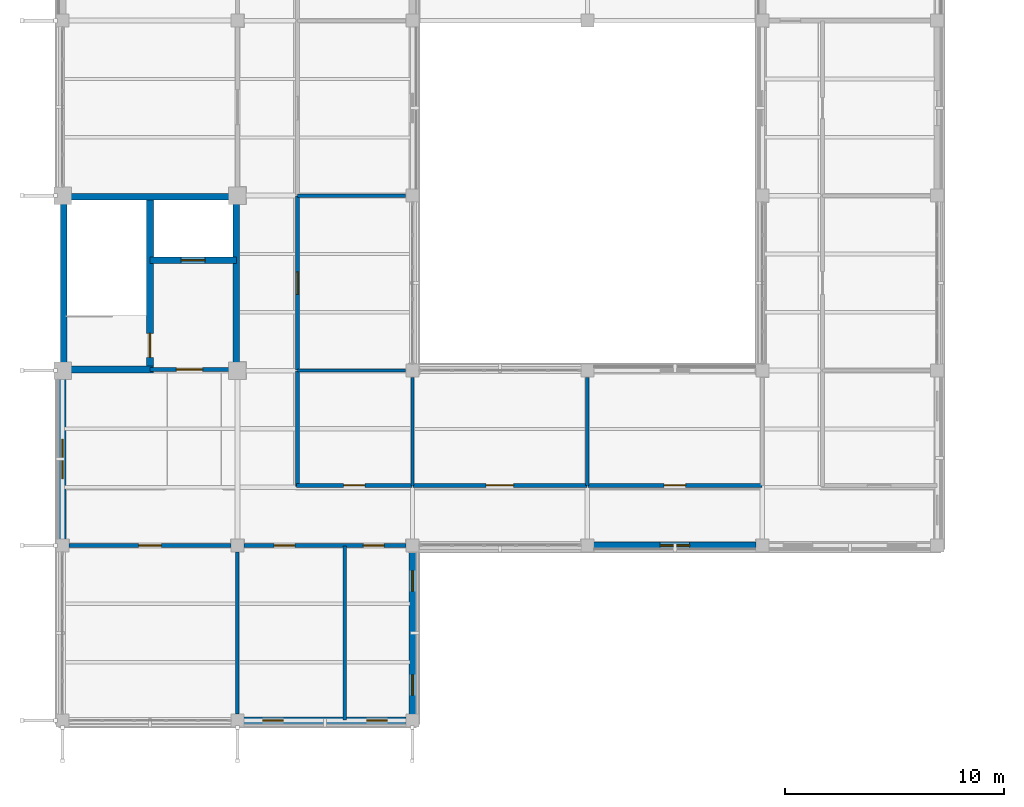
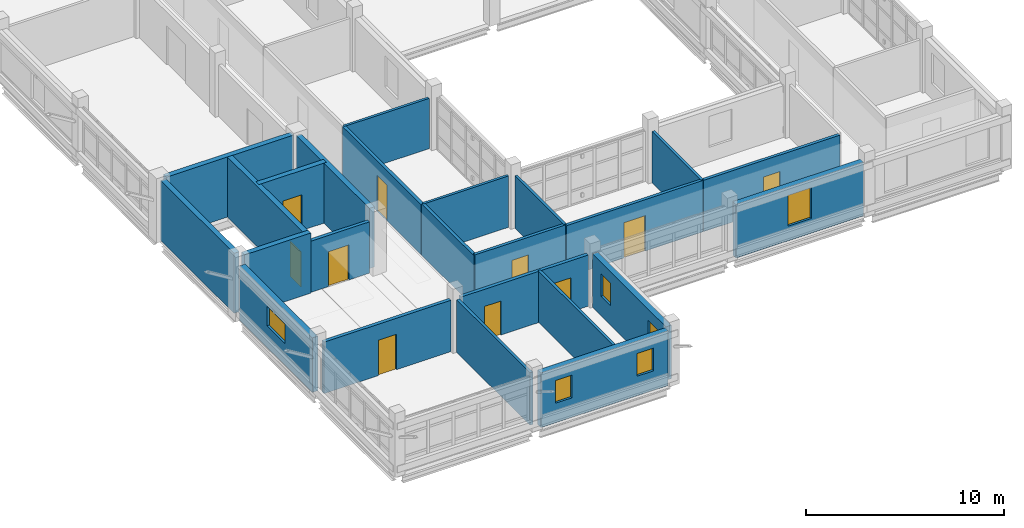
# One storey, part 87 of 126: 24 walls, 10 doors, 6 windows, 16 openings.
"""IFC4 building model written with IfcOpenShell, lengths in metres."""

from ifc_helpers import new_model, si_unit, derived_unit, direction, frame, frame_2d, origin, place, context, subcontext, project, spatial, rectangle, extrude, material, layer, layer_set, type_object, element, fill, save


model = new_model("IFC4")

# Units and contexts
model_context = context("Model", 3, precision=1e-05, world=origin(), true_north=direction((0.0, 1.0)))
body_context = subcontext(model_context, "Body", "Model", "MODEL_VIEW")
ifc_project = project(units=[si_unit("LENGTHUNIT", "METRE"), si_unit("AREAUNIT", "SQUARE_METRE"), si_unit("VOLUMEUNIT", "CUBIC_METRE"), si_unit("PLANEANGLEUNIT", "RADIAN"), si_unit("MASSUNIT", "GRAM", prefix="KILO"), derived_unit("THERMALTRANSMITTANCEUNIT", [(si_unit("MASSUNIT", "GRAM", prefix="KILO"), 1), (si_unit("TIMEUNIT", "SECOND"), -3), (si_unit("THERMODYNAMICTEMPERATUREUNIT", "KELVIN"), -1)])], contexts=[model_context])

# Site, building, storey
site_placement = place(None, origin())
site = spatial("IfcSite", under=ifc_project, at=site_placement, CompositionType="ELEMENT")
building_placement = place(site_placement, origin())
building = spatial("IfcBuilding", under=site, at=building_placement, Name="Veyamyaing Civic Hall", CompositionType="ELEMENT")
storey_placement = place(building_placement, frame((0.0, 0.0, 9.89990234375)))
storey = spatial("IfcBuildingStorey", under=building, at=storey_placement, Name="L02", CompositionType="ELEMENT", Elevation=9.89990234375)

# Wall, opening, window
ifc_material_1 = material(Name="Precast concrete C40/50", Category="concrete")
ifc_layer_1 = layer(ifc_material_1, 0.320068359375, Name="Precast concrete C40/50")
ifc_layer_set_1 = layer_set([ifc_layer_1], Name="Precast concrete C40/50")
wall_type_1 = type_object("IfcWallType", Name="WT-02", PredefinedType="SOLIDWALL", material=ifc_layer_set_1)
wall_1_placement = place(storey_placement, frame((0.0, 8.284912109375, 0.0), z_axis=(0.0, 0.0, 1.0), x_axis=(0.0, 1.0, 0.0)))
wall_1 = element("IfcWall", 1, at=wall_1_placement, inside=storey, type_object=wall_type_1, Name="Exterior facade wall WT-02 L02 W 1.2", PredefinedType="SOLIDWALL", context=body_context, shape_type="SweptSolid", body=[
    extrude(rectangle(XDim=7.330078125, YDim=0.320068359375, at=frame_2d((3.6650390625, 0.0))), origin(), (0.0, 0.0, 1.0), 3.362060546875),
])
opening_1_placement = place(wall_1_placement, frame((2.764892578125, 0.0, 1.35009765625)))
opening_1 = element("IfcOpeningElement", 2, at=opening_1_placement, cuts=wall_1, Name="Opening W-19", PredefinedType="OPENING", context=body_context, shape_type="SweptSolid", body=[
    extrude(rectangle(XDim=1.800048828125, YDim=1.199951171875, at=frame_2d((0.89990234375, 0.60009765625))), frame((0.0, 0.169921875, 0.0), z_axis=(0.0, -1.0, 0.0), x_axis=(1.0, 0.0, 0.0)), (0.0, 0.0, 1.0), 0.340087890625),
])
ifc_material_2 = material(Name="Low-E insulated glass", Category="glass")
window_type_1 = type_object("IfcWindowType", Name="W-19", PartitioningType="SINGLE_PANEL", PredefinedType="WINDOW", material=ifc_material_2)
window_1_placement = place(opening_1_placement, origin())
window_1 = element("IfcWindow", 3, at=window_1_placement, inside=storey, type_object=window_type_1, Name="Facade window W-19 L02 W 1.2", OverallHeight=1.199951171875, OverallWidth=1.800048828125, PartitioningType="SINGLE_PANEL", PredefinedType="WINDOW", context=body_context, shape_type="SweptSolid", body=[
    extrude(rectangle(XDim=1.800048828125, YDim=1.199951171875, at=frame_2d((0.89990234375, 0.60009765625))), frame((0.0, 0.030029296875, 0.0), z_axis=(0.0, -1.0, 0.0), x_axis=(1.0, 0.0, 0.0)), (0.0, 0.0, 1.0), 0.06005859375),
])
fill(opening_1, window_1)

# Wall, openings, windows
wall_2_placement = place(storey_placement, frame((8.284912109375, 0.0, 0.0), z_axis=(0.0, 0.0, 1.0), x_axis=(1.0, 0.0, 0.0)))
wall_2 = element("IfcWall", 4, at=wall_2_placement, inside=storey, type_object=wall_type_1, Name="Exterior facade wall WT-02 L02 S 2.1", PredefinedType="SOLIDWALL", context=body_context, shape_type="SweptSolid", body=[
    extrude(rectangle(XDim=7.43017578125, YDim=0.320068359375, at=frame_2d((3.715087890625, 0.0))), origin(), (0.0, 0.0, 1.0), 3.362060546875),
])
opening_2_placement = place(wall_2_placement, frame((0.8623046875, 0.0, 1.199951171875)))
opening_2 = element("IfcOpeningElement", 5, at=opening_2_placement, cuts=wall_2, Name="Opening W-20", PredefinedType="OPENING", context=body_context, shape_type="SweptSolid", body=[
    extrude(rectangle(XDim=0.949951171875, YDim=1.39990234375, at=frame_2d((0.47509765625, 0.699951171875))), frame((0.0, 0.169921875, 0.0), z_axis=(0.0, -1.0, 0.0), x_axis=(1.0, 0.0, 0.0)), (0.0, 0.0, 1.0), 0.340087890625),
])
opening_3_placement = place(wall_2_placement, frame((5.61767578125, 0.0, 1.199951171875)))
opening_3 = element("IfcOpeningElement", 6, at=opening_3_placement, cuts=wall_2, Name="Opening W-20", PredefinedType="OPENING", context=body_context, shape_type="SweptSolid", body=[
    extrude(rectangle(XDim=0.949951171875, YDim=1.39990234375, at=frame_2d((0.47509765625, 0.699951171875))), frame((0.0, 0.169921875, 0.0), z_axis=(0.0, -1.0, 0.0), x_axis=(1.0, 0.0, 0.0)), (0.0, 0.0, 1.0), 0.340087890625),
])
window_type_2 = type_object("IfcWindowType", Name="W-20", PartitioningType="SINGLE_PANEL", PredefinedType="WINDOW", material=ifc_material_2)
window_2_placement = place(opening_2_placement, origin())
window_2 = element("IfcWindow", 7, at=window_2_placement, inside=storey, type_object=window_type_2, Name="Facade window W-20 L02 S 2.1.1", OverallHeight=1.39990234375, OverallWidth=0.949951171875, PartitioningType="SINGLE_PANEL", PredefinedType="WINDOW", context=body_context, shape_type="SweptSolid", body=[
    extrude(rectangle(XDim=0.949951171875, YDim=1.39990234375, at=frame_2d((0.47509765625, 0.699951171875))), frame((0.0, 0.030029296875, 0.0), z_axis=(0.0, -1.0, 0.0), x_axis=(1.0, 0.0, 0.0)), (0.0, 0.0, 1.0), 0.06005859375),
])
fill(opening_2, window_2)
window_3_placement = place(opening_3_placement, origin())
window_3 = element("IfcWindow", 8, at=window_3_placement, inside=storey, type_object=window_type_2, Name="Facade window W-20 L02 S 2.1.2", OverallHeight=1.39990234375, OverallWidth=0.949951171875, PartitioningType="SINGLE_PANEL", PredefinedType="WINDOW", context=body_context, shape_type="SweptSolid", body=[
    extrude(rectangle(XDim=0.949951171875, YDim=1.39990234375, at=frame_2d((0.47509765625, 0.699951171875))), frame((0.0, 0.030029296875, 0.0), z_axis=(0.0, -1.0, 0.0), x_axis=(1.0, 0.0, 0.0)), (0.0, 0.0, 1.0), 0.06005859375),
])
fill(opening_3, window_3)

wall_3_placement = place(storey_placement, frame((16.0, 0.284912109375, 0.0), z_axis=(0.0, 0.0, 1.0), x_axis=(0.0, 1.0, 0.0)))
wall_3 = element("IfcWall", 9, at=wall_3_placement, inside=storey, type_object=wall_type_1, Name="Exterior facade wall WT-02 L02 E 2.1", PredefinedType="SOLIDWALL", context=body_context, shape_type="SweptSolid", body=[
    extrude(rectangle(XDim=7.43017578125, YDim=0.320068359375, at=frame_2d((3.715087890625, 0.0))), origin(), (0.0, 0.0, 1.0), 3.295166015625),
])
opening_4_placement = place(wall_3_placement, frame((0.8623046875, 0.0, 1.199951171875)))
opening_4 = element("IfcOpeningElement", 10, at=opening_4_placement, cuts=wall_3, Name="Opening W-20", PredefinedType="OPENING", context=body_context, shape_type="SweptSolid", body=[
    extrude(rectangle(XDim=0.949951171875, YDim=1.39990234375, at=frame_2d((0.47509765625, 0.699951171875))), frame((0.0, 0.169921875, 0.0), z_axis=(0.0, -1.0, 0.0), x_axis=(1.0, 0.0, 0.0)), (0.0, 0.0, 1.0), 0.340087890625),
])
opening_5_placement = place(wall_3_placement, frame((5.61767578125, 0.0, 1.199951171875)))
opening_5 = element("IfcOpeningElement", 11, at=opening_5_placement, cuts=wall_3, Name="Opening W-20", PredefinedType="OPENING", context=body_context, shape_type="SweptSolid", body=[
    extrude(rectangle(XDim=0.949951171875, YDim=1.39990234375, at=frame_2d((0.47509765625, 0.699951171875))), frame((0.0, 0.169921875, 0.0), z_axis=(0.0, -1.0, 0.0), x_axis=(1.0, 0.0, 0.0)), (0.0, 0.0, 1.0), 0.340087890625),
])
window_4_placement = place(opening_4_placement, origin())
window_4 = element("IfcWindow", 12, at=window_4_placement, inside=storey, type_object=window_type_2, Name="Facade window W-20 L02 E 2.1.1", OverallHeight=1.39990234375, OverallWidth=0.949951171875, PartitioningType="SINGLE_PANEL", PredefinedType="WINDOW", context=body_context, shape_type="SweptSolid", body=[
    extrude(rectangle(XDim=0.949951171875, YDim=1.39990234375, at=frame_2d((0.47509765625, 0.699951171875))), frame((0.0, 0.030029296875, 0.0), z_axis=(0.0, -1.0, 0.0), x_axis=(1.0, 0.0, 0.0)), (0.0, 0.0, 1.0), 0.06005859375),
])
fill(opening_4, window_4)
window_5_placement = place(opening_5_placement, origin())
window_5 = element("IfcWindow", 13, at=window_5_placement, inside=storey, type_object=window_type_2, Name="Facade window W-20 L02 E 2.1.2", OverallHeight=1.39990234375, OverallWidth=0.949951171875, PartitioningType="SINGLE_PANEL", PredefinedType="WINDOW", context=body_context, shape_type="SweptSolid", body=[
    extrude(rectangle(XDim=0.949951171875, YDim=1.39990234375, at=frame_2d((0.47509765625, 0.699951171875))), frame((0.0, 0.030029296875, 0.0), z_axis=(0.0, -1.0, 0.0), x_axis=(1.0, 0.0, 0.0)), (0.0, 0.0, 1.0), 0.06005859375),
])
fill(opening_5, window_5)

# Wall, opening, window
wall_4_placement = place(storey_placement, frame((24.284912109375, 8.0, 0.0), z_axis=(0.0, 0.0, 1.0), x_axis=(1.0, 0.0, 0.0)))
wall_4 = element("IfcWall", 14, at=wall_4_placement, inside=storey, type_object=wall_type_1, Name="Exterior facade wall WT-02 L02 S 4.2", PredefinedType="SOLIDWALL", context=body_context, shape_type="SweptSolid", body=[
    extrude(rectangle(XDim=7.43017578125, YDim=0.320068359375, at=frame_2d((3.715087890625, 0.0))), origin(), (0.0, 0.0, 1.0), 3.299072265625),
])
opening_6_placement = place(wall_4_placement, frame((3.0400390625, 0.0, 0.89990234375)))
opening_6 = element("IfcOpeningElement", 15, at=opening_6_placement, cuts=wall_4, Name="Opening W-13", PredefinedType="OPENING", context=body_context, shape_type="SweptSolid", body=[
    extrude(rectangle(XDim=1.35009765625, YDim=1.89990234375, at=frame_2d((0.675048828125, 0.949951171875))), frame((0.0, 0.169921875, 0.0), z_axis=(0.0, -1.0, 0.0), x_axis=(1.0, 0.0, 0.0)), (0.0, 0.0, 1.0), 0.340087890625),
])
window_type_3 = type_object("IfcWindowType", Name="W-13", PartitioningType="SINGLE_PANEL", PredefinedType="WINDOW", material=ifc_material_2)
window_6_placement = place(opening_6_placement, origin())
window_6 = element("IfcWindow", 16, at=window_6_placement, inside=storey, type_object=window_type_3, Name="Facade window W-13 L02 S 4.2", OverallHeight=1.89990234375, OverallWidth=1.35009765625, PartitioningType="SINGLE_PANEL", PredefinedType="WINDOW", context=body_context, shape_type="SweptSolid", body=[
    extrude(rectangle(XDim=1.35009765625, YDim=1.89990234375, at=frame_2d((0.675048828125, 0.949951171875))), frame((0.0, 0.030029296875, 0.0), z_axis=(0.0, -1.0, 0.0), x_axis=(1.0, 0.0, 0.0)), (0.0, 0.0, 1.0), 0.06005859375),
])
fill(opening_6, window_6)

# Walls
ifc_material_3 = material(Name="Concrete C40/50", Category="concrete")
ifc_layer_2 = layer(ifc_material_3, 0.300048828125, Name="Concrete C40/50")
ifc_layer_set_2 = layer_set([ifc_layer_2], Name="Concrete C40/50")
wall_type_2 = type_object("IfcWallType", Name="WT-05", PredefinedType="SHEAR", material=ifc_layer_set_2)
for number, where, z_axis, x_axis, name in (
    (17, (0.050048828125, 16.2900390625, 0.0), (0.0, 0.0, 1.0), (0.0, 1.0, 0.0), "Core shear wall WT-05 CORE-7 L02.W"),
    (18, (0.2900390625, 23.949951171875, 0.0), (0.0, 0.0, 1.0), (1.0, 0.0, 0.0), "Core shear wall WT-05 CORE-7 L02.N"),
    (19, (7.949951171875, 16.2900390625, 0.0), (0.0, 0.0, 1.0), (0.0, 1.0, 0.0), "Core shear wall WT-05 CORE-7 L02.E"),
):
    element("IfcWall", number, at=place(storey_placement, frame(where, z_axis=z_axis, x_axis=x_axis)), inside=storey, type_object=wall_type_2, Name=name, PredefinedType="SHEAR", context=body_context, shape_type="SweptSolid", body=[
        extrude(rectangle(XDim=7.419921875, YDim=0.300048828125, at=frame_2d((3.7099609375, 0.0))), origin(), (0.0, 0.0, 1.0), 3.705078125),
    ])
wall_5_placement = place(storey_placement, frame((0.2900390625, 16.050048828125, 0.0), z_axis=(0.0, 0.0, 1.0), x_axis=(1.0, 0.0, 0.0)))
element("IfcWall", 20, at=wall_5_placement, inside=storey, type_object=wall_type_2, Name="Core shear wall WT-05 CORE-7 L02.SS", PredefinedType="SHEAR", context=body_context, shape_type="SweptSolid", body=[
    extrude(rectangle(XDim=3.85986328125, YDim=0.300048828125, at=frame_2d((1.929931640625, 0.0))), origin(), (0.0, 0.0, 1.0), 3.705078125),
])

# Wall, opening, door
wall_6_placement = place(storey_placement, frame((4.0, 16.050048828125, 0.0), z_axis=(0.0, 0.0, 1.0), x_axis=(0.0, 1.0, 0.0)))
wall_6 = element("IfcWall", 21, at=wall_6_placement, inside=storey, type_object=wall_type_2, Name="Core shear wall WT-05 CORE-7 L02.MID", PredefinedType="SHEAR", context=body_context, shape_type="SweptSolid", body=[
    extrude(rectangle(XDim=7.89990234375, YDim=0.300048828125, at=frame_2d((3.949951171875, 0.0))), origin(), (0.0, 0.0, 1.0), 3.705078125),
])
opening_7_placement = place(wall_6_placement, frame((0.550048828125, 0.0, 0.0)))
opening_7 = element("IfcOpeningElement", 22, at=opening_7_placement, cuts=wall_6, Name="Opening D-03", PredefinedType="OPENING", context=body_context, shape_type="SweptSolid", body=[
    extrude(rectangle(XDim=1.10009765625, YDim=2.14990234375, at=frame_2d((0.550048828125, 1.074951171875))), frame((0.0, 0.159912109375, 0.0), z_axis=(0.0, -1.0, 0.0), x_axis=(1.0, 0.0, 0.0)), (0.0, 0.0, 1.0), 0.320068359375),
])
ifc_material_4 = material(Name="Galvanized steel S355J2", Category="steel")
door_type_1 = type_object("IfcDoorType", Name="D-03", OperationType="NOTDEFINED", PredefinedType="DOOR", material=ifc_material_4)
door_1_placement = place(opening_7_placement, origin())
door_1 = element("IfcDoor", 23, at=door_1_placement, inside=storey, type_object=door_type_1, Name="Exit stair fire door D-03 ST-09 L02", OperationType="SINGLE_SWING_LEFT", OverallHeight=2.14990234375, OverallWidth=1.10009765625, PredefinedType="DOOR", context=body_context, shape_type="SweptSolid", body=[
    extrude(rectangle(XDim=1.10009765625, YDim=2.14990234375, at=frame_2d((0.550048828125, 1.074951171875))), frame((0.0, 0.02490234375, 0.0), z_axis=(0.0, -1.0, 0.0), x_axis=(1.0, 0.0, 0.0)), (0.0, 0.0, 1.0), 0.050048828125),
])
fill(opening_7, door_1)

wall_7_placement = place(storey_placement, frame((4.0, 21.050048828125, 0.0), z_axis=(0.0, 0.0, 1.0), x_axis=(1.0, 0.0, 0.0)))
wall_7 = element("IfcWall", 24, at=wall_7_placement, inside=storey, type_object=wall_type_2, Name="Core shear wall WT-05 CORE-7 L02.LFT", PredefinedType="SHEAR", context=body_context, shape_type="SweptSolid", body=[
    extrude(rectangle(XDim=3.949951171875, YDim=0.300048828125, at=frame_2d((1.97509765625, 0.0))), origin(), (0.0, 0.0, 1.0), 3.705078125),
])
opening_8_placement = place(wall_7_placement, frame((1.425048828125, 0.0, 0.0)))
opening_8 = element("IfcOpeningElement", 25, at=opening_8_placement, cuts=wall_7, Name="Opening LD-01", PredefinedType="OPENING", context=body_context, shape_type="SweptSolid", body=[
    extrude(rectangle(XDim=1.10009765625, YDim=2.199951171875, at=frame_2d((0.550048828125, 1.10009765625))), frame((0.0, 0.159912109375, 0.0), z_axis=(0.0, -1.0, 0.0), x_axis=(1.0, 0.0, 0.0)), (0.0, 0.0, 1.0), 0.320068359375),
])
ifc_material_5 = material(Name="Anodised aluminium 6063-T6", Category="aluminium")
door_type_2 = type_object("IfcDoorType", Name="LD-01", OperationType="SLIDING_TO_LEFT", PredefinedType="DOOR", material=ifc_material_5)
door_2_placement = place(opening_8_placement, origin())
door_2 = element("IfcDoor", 26, at=door_2_placement, inside=storey, type_object=door_type_2, Name="Lift sliding landing door LD-01 PL-05 L02", OperationType="SLIDING_TO_LEFT", OverallHeight=2.199951171875, OverallWidth=1.10009765625, PredefinedType="DOOR", context=body_context, shape_type="SweptSolid", body=[
    extrude(rectangle(XDim=1.10009765625, YDim=2.199951171875, at=frame_2d((0.550048828125, 1.10009765625))), frame((0.0, 0.02490234375, 0.0), z_axis=(0.0, -1.0, 0.0), x_axis=(1.0, 0.0, 0.0)), (0.0, 0.0, 1.0), 0.050048828125),
])
fill(opening_8, door_2)

ifc_layer_3 = layer(ifc_material_3, 0.199951171875, Name="Concrete C40/50")
ifc_layer_set_3 = layer_set([ifc_layer_3], Name="Concrete C40/50")
wall_type_3 = type_object("IfcWallType", Name="WT-06", PredefinedType="PARTITIONING", material=ifc_layer_set_3)
wall_8_placement = place(storey_placement, frame((4.0, 16.050048828125, 0.0), z_axis=(0.0, 0.0, 1.0), x_axis=(1.0, 0.0, 0.0)))
wall_8 = element("IfcWall", 27, at=wall_8_placement, inside=storey, type_object=wall_type_3, Name="Firefighting lift lobby wall WT-06 CORE-7 L02", PredefinedType="PARTITIONING", context=body_context, shape_type="SweptSolid", body=[
    extrude(rectangle(XDim=3.610107421875, YDim=0.199951171875, at=frame_2d((1.80517578125, 0.0))), origin(), (0.0, 0.0, 1.0), 3.156005859375),
])
opening_9_placement = place(wall_8_placement, frame((1.205078125, 0.0, 0.0)))
opening_9 = element("IfcOpeningElement", 28, at=opening_9_placement, cuts=wall_8, Name="Opening D-04", PredefinedType="OPENING", context=body_context, shape_type="SweptSolid", body=[
    extrude(rectangle(XDim=1.199951171875, YDim=2.14990234375, at=frame_2d((0.60009765625, 1.074951171875))), frame((0.0, 0.10986328125, 0.0), z_axis=(0.0, -1.0, 0.0), x_axis=(1.0, 0.0, 0.0)), (0.0, 0.0, 1.0), 0.219970703125),
])
door_type_3 = type_object("IfcDoorType", Name="D-04", OperationType="NOTDEFINED", PredefinedType="DOOR", material=ifc_material_4)
door_3_placement = place(opening_9_placement, frame((1.199951171875, 0.0, 0.0), z_axis=(0.0, 0.0, 1.0), x_axis=(-1.0, 0.0, 0.0)))
door_3 = element("IfcDoor", 29, at=door_3_placement, inside=storey, type_object=door_type_3, Name="Protected lobby fire door D-04 CORE-7 L02", OperationType="SINGLE_SWING_RIGHT", OverallHeight=2.14990234375, OverallWidth=1.199951171875, PredefinedType="DOOR", context=body_context, shape_type="SweptSolid", body=[
    extrude(rectangle(XDim=1.199951171875, YDim=2.14990234375, at=frame_2d((0.60009765625, 1.074951171875))), frame((0.0, 0.02490234375, 0.0), z_axis=(0.0, -1.0, 0.0), x_axis=(1.0, 0.0, 0.0)), (0.0, 0.0, 1.0), 0.050048828125),
])
fill(opening_9, door_3)

wall_9_placement = place(storey_placement, frame((0.2900390625, 8.0, 0.0), z_axis=(0.0, 0.0, 1.0), x_axis=(1.0, 0.0, 0.0)))
wall_9 = element("IfcWall", 30, at=wall_9_placement, inside=storey, type_object=wall_type_3, Name="Interior partition wall WT-06 L02.2", PredefinedType="PARTITIONING", context=body_context, shape_type="SweptSolid", body=[
    extrude(rectangle(XDim=7.419921875, YDim=0.199951171875, at=frame_2d((3.7099609375, 0.0))), origin(), (0.0, 0.0, 1.0), 3.172119140625),
])
opening_10_placement = place(wall_9_placement, frame((3.18994140625, 0.0, 0.0)))
opening_10 = element("IfcOpeningElement", 31, at=opening_10_placement, cuts=wall_9, Name="Opening D-24", PredefinedType="OPENING", context=body_context, shape_type="SweptSolid", body=[
    extrude(rectangle(XDim=1.0400390625, YDim=2.179931640625, at=frame_2d((0.52001953125, 1.08984375))), frame((0.0, 0.10986328125, 0.0), z_axis=(0.0, -1.0, 0.0), x_axis=(1.0, 0.0, 0.0)), (0.0, 0.0, 1.0), 0.219970703125),
])
ifc_material_6 = material(Name="Teak-veneered acoustic timber", Category="wood")
door_type_4 = type_object("IfcDoorType", Name="D-24", OperationType="NOTDEFINED", PredefinedType="DOOR", material=ifc_material_6)
door_4_placement = place(opening_10_placement, frame((1.0400390625, 0.0, 0.0), z_axis=(0.0, 0.0, 1.0), x_axis=(-1.0, 0.0, 0.0)))
door_4 = element("IfcDoor", 32, at=door_4_placement, inside=storey, type_object=door_type_4, Name="Interior door D-24 L02.2", OperationType="SINGLE_SWING_LEFT", OverallHeight=2.179931640625, OverallWidth=1.0400390625, PredefinedType="DOOR", context=body_context, shape_type="SweptSolid", body=[
    extrude(rectangle(XDim=1.0400390625, YDim=2.179931640625, at=frame_2d((0.52001953125, 1.08984375))), frame((0.0, 0.02490234375, 0.0), z_axis=(0.0, -1.0, 0.0), x_axis=(1.0, 0.0, 0.0)), (0.0, 0.0, 1.0), 0.050048828125),
])
fill(opening_10, door_4)

# Wall, openings, doors
wall_10_placement = place(storey_placement, frame((8.2900390625, 8.0, 0.0), z_axis=(0.0, 0.0, 1.0), x_axis=(1.0, 0.0, 0.0)))
wall_10 = element("IfcWall", 33, at=wall_10_placement, inside=storey, type_object=wall_type_3, Name="Interior partition wall WT-06 L02.10", PredefinedType="PARTITIONING", context=body_context, shape_type="SweptSolid", body=[
    extrude(rectangle(XDim=7.419921875, YDim=0.199951171875, at=frame_2d((3.7099609375, 0.0))), origin(), (0.0, 0.0, 1.0), 3.156005859375),
])
opening_11_placement = place(wall_10_placement, frame((1.3798828125, 0.0, 0.0)))
opening_11 = element("IfcOpeningElement", 34, at=opening_11_placement, cuts=wall_10, Name="Opening D-15", PredefinedType="OPENING", context=body_context, shape_type="SweptSolid", body=[
    extrude(rectangle(XDim=0.949951171875, YDim=2.10009765625, at=frame_2d((0.47509765625, 1.050048828125))), frame((0.0, 0.10986328125, 0.0), z_axis=(0.0, -1.0, 0.0), x_axis=(1.0, 0.0, 0.0)), (0.0, 0.0, 1.0), 0.219970703125),
])
opening_12_placement = place(wall_10_placement, frame((5.4609375, 0.0, 0.0)))
opening_12 = element("IfcOpeningElement", 35, at=opening_12_placement, cuts=wall_10, Name="Opening D-15", PredefinedType="OPENING", context=body_context, shape_type="SweptSolid", body=[
    extrude(rectangle(XDim=0.949951171875, YDim=2.10009765625, at=frame_2d((0.47509765625, 1.050048828125))), frame((0.0, 0.10986328125, 0.0), z_axis=(0.0, -1.0, 0.0), x_axis=(1.0, 0.0, 0.0)), (0.0, 0.0, 1.0), 0.219970703125),
])
door_type_5 = type_object("IfcDoorType", Name="D-15", OperationType="NOTDEFINED", PredefinedType="DOOR", material=ifc_material_6)
door_5_placement = place(opening_11_placement, frame((0.949951171875, 0.0, 0.0), z_axis=(0.0, 0.0, 1.0), x_axis=(-1.0, 0.0, 0.0)))
door_5 = element("IfcDoor", 36, at=door_5_placement, inside=storey, type_object=door_type_5, Name="Interior room door D-15 L02.10.1", OperationType="SINGLE_SWING_LEFT", OverallHeight=2.10009765625, OverallWidth=0.949951171875, PredefinedType="DOOR", context=body_context, shape_type="SweptSolid", body=[
    extrude(rectangle(XDim=0.949951171875, YDim=2.10009765625, at=frame_2d((0.47509765625, 1.050048828125))), frame((0.0, 0.02490234375, 0.0), z_axis=(0.0, -1.0, 0.0), x_axis=(1.0, 0.0, 0.0)), (0.0, 0.0, 1.0), 0.050048828125),
])
fill(opening_11, door_5)
door_6_placement = place(opening_12_placement, frame((0.949951171875, 0.0, 0.0), z_axis=(0.0, 0.0, 1.0), x_axis=(-1.0, 0.0, 0.0)))
door_6 = element("IfcDoor", 37, at=door_6_placement, inside=storey, type_object=door_type_5, Name="Interior room door D-15 L02.10.2", OperationType="SINGLE_SWING_RIGHT", OverallHeight=2.10009765625, OverallWidth=0.949951171875, PredefinedType="DOOR", context=body_context, shape_type="SweptSolid", body=[
    extrude(rectangle(XDim=0.949951171875, YDim=2.10009765625, at=frame_2d((0.47509765625, 1.050048828125))), frame((0.0, 0.02490234375, 0.0), z_axis=(0.0, -1.0, 0.0), x_axis=(1.0, 0.0, 0.0)), (0.0, 0.0, 1.0), 0.050048828125),
])
fill(opening_12, door_6)

# Wall, opening, door
ifc_material_7 = material(Name="Gypsum board on acoustic steel stud", Category="steel")
ifc_layer_4 = layer(ifc_material_7, 0.175048828125, Name="Gypsum board on acoustic steel stud")
ifc_layer_set_4 = layer_set([ifc_layer_4], Name="Gypsum board on acoustic steel stud")
wall_type_4 = type_object("IfcWallType", Name="WT-07", PredefinedType="PARTITIONING", material=ifc_layer_set_4)
wall_11_placement = place(storey_placement, frame((10.699951171875, 10.75, 0.0), z_axis=(0.0, 0.0, 1.0), x_axis=(1.0, 0.0, 0.0)))
wall_11 = element("IfcWall", 38, at=wall_11_placement, inside=storey, type_object=wall_type_4, Name="Corridor gallery partition WT-07 L02.9.1", PredefinedType="PARTITIONING", context=body_context, shape_type="SweptSolid", body=[
    extrude(rectangle(XDim=5.280029296875, YDim=0.175048828125, at=frame_2d((2.64013671875, 0.0))), origin(), (0.0, 0.0, 1.0), 3.236083984375),
])
opening_13_placement = place(wall_11_placement, frame((2.14990234375, 0.0, 0.0)))
opening_13 = element("IfcOpeningElement", 39, at=opening_13_placement, cuts=wall_11, Name="Opening D-14", PredefinedType="OPENING", context=body_context, shape_type="SweptSolid", body=[
    extrude(rectangle(XDim=0.97998046875, YDim=2.14990234375, at=frame_2d((0.489990234375, 1.074951171875))), frame((0.0, 0.097412109375, 0.0), z_axis=(0.0, -1.0, 0.0), x_axis=(1.0, 0.0, 0.0)), (0.0, 0.0, 1.0), 0.195068359375),
])
door_type_6 = type_object("IfcDoorType", Name="D-14", OperationType="NOTDEFINED", PredefinedType="DOOR", material=ifc_material_6)
door_7_placement = place(opening_13_placement, origin())
door_7 = element("IfcDoor", 40, at=door_7_placement, inside=storey, type_object=door_type_6, Name="Gallery office door D-14 L02.9", OperationType="SINGLE_SWING_LEFT", OverallHeight=2.14990234375, OverallWidth=0.97998046875, PredefinedType="DOOR", context=body_context, shape_type="SweptSolid", body=[
    extrude(rectangle(XDim=0.97998046875, YDim=2.14990234375, at=frame_2d((0.489990234375, 1.074951171875))), frame((0.0, 0.02490234375, 0.0), z_axis=(0.0, -1.0, 0.0), x_axis=(1.0, 0.0, 0.0)), (0.0, 0.0, 1.0), 0.050048828125),
])
fill(opening_13, door_7)

# Wall
wall_12_placement = place(storey_placement, frame((10.75, 10.699951171875, 0.0), z_axis=(0.0, 0.0, 1.0), x_axis=(0.0, 1.0, 0.0)))
element("IfcWall", 41, at=wall_12_placement, inside=storey, type_object=wall_type_4, Name="Corridor gallery partition WT-07 L02.9.2", PredefinedType="PARTITIONING", context=body_context, shape_type="SweptSolid", body=[
    extrude(rectangle(XDim=5.280029296875, YDim=0.175048828125, at=frame_2d((2.64013671875, 0.0))), origin(), (0.0, 0.0, 1.0), 3.166015625),
])

# Wall, opening, door
wall_13_placement = place(storey_placement, frame((16.02001953125, 10.75, 0.0), z_axis=(0.0, 0.0, 1.0), x_axis=(1.0, 0.0, 0.0)))
wall_13 = element("IfcWall", 42, at=wall_13_placement, inside=storey, type_object=wall_type_4, Name="Corridor gallery partition WT-07 L02.15.1", PredefinedType="PARTITIONING", context=body_context, shape_type="SweptSolid", body=[
    extrude(rectangle(XDim=7.9599609375, YDim=0.175048828125, at=frame_2d((3.97998046875, 0.0))), origin(), (0.0, 0.0, 1.0), 3.172119140625),
])
opening_14_placement = place(wall_13_placement, frame((3.35498046875, 0.0, 0.0)))
opening_14 = element("IfcOpeningElement", 43, at=opening_14_placement, cuts=wall_13, Name="Opening D-29", PredefinedType="OPENING", context=body_context, shape_type="SweptSolid", body=[
    extrude(rectangle(XDim=1.25, YDim=2.179931640625, at=frame_2d((0.625, 1.08984375))), frame((0.0, 0.097412109375, 0.0), z_axis=(0.0, -1.0, 0.0), x_axis=(1.0, 0.0, 0.0)), (0.0, 0.0, 1.0), 0.195068359375),
])
door_type_7 = type_object("IfcDoorType", Name="D-29", OperationType="NOTDEFINED", PredefinedType="DOOR", material=ifc_material_6)
door_8_placement = place(opening_14_placement, origin())
door_8 = element("IfcDoor", 44, at=door_8_placement, inside=storey, type_object=door_type_7, Name="Gallery office door D-29 L02.15", OperationType="SINGLE_SWING_LEFT", OverallHeight=2.179931640625, OverallWidth=1.25, PredefinedType="DOOR", context=body_context, shape_type="SweptSolid", body=[
    extrude(rectangle(XDim=1.25, YDim=2.179931640625, at=frame_2d((0.625, 1.08984375))), frame((0.0, 0.02490234375, 0.0), z_axis=(0.0, -1.0, 0.0), x_axis=(1.0, 0.0, 0.0)), (0.0, 0.0, 1.0), 0.050048828125),
])
fill(opening_14, door_8)

wall_14_placement = place(storey_placement, frame((24.02001953125, 10.75, 0.0), z_axis=(0.0, 0.0, 1.0), x_axis=(1.0, 0.0, 0.0)))
wall_14 = element("IfcWall", 45, at=wall_14_placement, inside=storey, type_object=wall_type_4, Name="Corridor gallery partition WT-07 L02.19.1", PredefinedType="PARTITIONING", context=body_context, shape_type="SweptSolid", body=[
    extrude(rectangle(XDim=7.9599609375, YDim=0.175048828125, at=frame_2d((3.97998046875, 0.0))), origin(), (0.0, 0.0, 1.0), 3.172119140625),
])
opening_15_placement = place(wall_14_placement, frame((3.489990234375, 0.0, 0.0)))
opening_15 = element("IfcOpeningElement", 46, at=opening_15_placement, cuts=wall_14, Name="Opening D-14", PredefinedType="OPENING", context=body_context, shape_type="SweptSolid", body=[
    extrude(rectangle(XDim=0.97998046875, YDim=2.14990234375, at=frame_2d((0.489990234375, 1.074951171875))), frame((0.0, 0.097412109375, 0.0), z_axis=(0.0, -1.0, 0.0), x_axis=(1.0, 0.0, 0.0)), (0.0, 0.0, 1.0), 0.195068359375),
])
door_9_placement = place(opening_15_placement, origin())
door_9 = element("IfcDoor", 47, at=door_9_placement, inside=storey, type_object=door_type_6, Name="Gallery office door D-14 L02.19", OperationType="SINGLE_SWING_LEFT", OverallHeight=2.14990234375, OverallWidth=0.97998046875, PredefinedType="DOOR", context=body_context, shape_type="SweptSolid", body=[
    extrude(rectangle(XDim=0.97998046875, YDim=2.14990234375, at=frame_2d((0.489990234375, 1.074951171875))), frame((0.0, 0.02490234375, 0.0), z_axis=(0.0, -1.0, 0.0), x_axis=(1.0, 0.0, 0.0)), (0.0, 0.0, 1.0), 0.050048828125),
])
fill(opening_15, door_9)

# Walls
ifc_material_8 = material(Name="Gypsum board on steel stud", Category="steel")
ifc_layer_5 = layer(ifc_material_8, 0.14990234375, Name="Gypsum board on steel stud")
ifc_layer_set_5 = layer_set([ifc_layer_5], Name="Gypsum board on steel stud")
wall_type_5 = type_object("IfcWallType", Name="WT-08", PredefinedType="PARTITIONING", material=ifc_layer_set_5)
wall_15_placement = place(storey_placement, frame((10.75, 16.0, 0.0), z_axis=(0.0, 0.0, 1.0), x_axis=(1.0, 0.0, 0.0)))
element("IfcWall", 48, at=wall_15_placement, inside=storey, type_object=wall_type_5, Name="Gallery office end partition WT-08 L02.9.1", PredefinedType="PARTITIONING", context=body_context, shape_type="SweptSolid", body=[
    extrude(rectangle(XDim=4.93994140625, YDim=0.14990234375, at=frame_2d((2.469970703125, 0.0))), origin(), (0.0, 0.0, 1.0), 3.166015625),
])
wall_16_placement = place(storey_placement, frame((16.0, 10.75, 0.0), z_axis=(0.0, 0.0, 1.0), x_axis=(0.0, 1.0, 0.0)))
element("IfcWall", 49, at=wall_16_placement, inside=storey, type_object=wall_type_5, Name="Gallery office end partition WT-08 L02.9.2", PredefinedType="PARTITIONING", context=body_context, shape_type="SweptSolid", body=[
    extrude(rectangle(XDim=4.93994140625, YDim=0.14990234375, at=frame_2d((2.469970703125, 0.0))), origin(), (0.0, 0.0, 1.0), 3.236083984375),
])
wall_17_placement = place(storey_placement, frame((10.75, 24.0, 0.0), z_axis=(0.0, 0.0, 1.0), x_axis=(1.0, 0.0, 0.0)))
element("IfcWall", 50, at=wall_17_placement, inside=storey, type_object=wall_type_5, Name="Gallery office end partition WT-08 L02.10.2", PredefinedType="PARTITIONING", context=body_context, shape_type="SweptSolid", body=[
    extrude(rectangle(XDim=4.93994140625, YDim=0.14990234375, at=frame_2d((2.469970703125, 0.0))), origin(), (0.0, 0.0, 1.0), 3.09716796875),
])
wall_18_placement = place(storey_placement, frame((24.0, 10.75, 0.0), z_axis=(0.0, 0.0, 1.0), x_axis=(0.0, 1.0, 0.0)))
element("IfcWall", 51, at=wall_18_placement, inside=storey, type_object=wall_type_5, Name="Gallery office end partition WT-08 L02.15.2", PredefinedType="PARTITIONING", context=body_context, shape_type="SweptSolid", body=[
    extrude(rectangle(XDim=4.93994140625, YDim=0.14990234375, at=frame_2d((2.469970703125, 0.0))), origin(), (0.0, 0.0, 1.0), 3.172119140625),
])
ifc_material_9 = material(Name="Cement-board wet-area partition")
ifc_layer_6 = layer(ifc_material_9, 0.159912109375, Name="Cement-board wet-area partition")
ifc_layer_set_6 = layer_set([ifc_layer_6], Name="Cement-board wet-area partition")
wall_type_6 = type_object("IfcWallType", Name="WT-14", PredefinedType="PARTITIONING", material=ifc_layer_set_6)
wall_19_placement = place(storey_placement, frame((8.0, 0.2900390625, 0.0), z_axis=(0.0, 0.0, 1.0), x_axis=(0.0, 1.0, 0.0)))
element("IfcWall", 52, at=wall_19_placement, inside=storey, type_object=wall_type_6, Name="Interior partition wall WT-14 L02.1", PredefinedType="PARTITIONING", context=body_context, shape_type="SweptSolid", body=[
    extrude(rectangle(XDim=7.419921875, YDim=0.159912109375, at=frame_2d((3.7099609375, 0.0))), origin(), (0.0, 0.0, 1.0), 3.2421875),
])
wall_20_placement = place(storey_placement, frame((12.89990234375, 0.02001953125, 0.0), z_axis=(0.0, 0.0, 1.0), x_axis=(0.0, 1.0, 0.0)))
element("IfcWall", 53, at=wall_20_placement, inside=storey, type_object=wall_type_6, Name="Sub-bay room partition WT-14 L02.1", PredefinedType="PARTITIONING", context=body_context, shape_type="SweptSolid", body=[
    extrude(rectangle(XDim=7.9599609375, YDim=0.159912109375, at=frame_2d((3.97998046875, 0.0))), origin(), (0.0, 0.0, 1.0), 3.156005859375),
])

# Wall, opening, door
ifc_material_10 = material(Name="Gypsum board on double acoustic stud")
ifc_layer_7 = layer(ifc_material_10, 0.18505859375, Name="Gypsum board on double acoustic stud")
ifc_layer_set_7 = layer_set([ifc_layer_7], Name="Gypsum board on double acoustic stud")
wall_type_7 = type_object("IfcWallType", Name="WT-19", PredefinedType="PARTITIONING", material=ifc_layer_set_7)
wall_21_placement = place(storey_placement, frame((10.75, 16.02001953125, 0.0), z_axis=(0.0, 0.0, 1.0), x_axis=(0.0, 1.0, 0.0)))
wall_21 = element("IfcWall", 54, at=wall_21_placement, inside=storey, type_object=wall_type_7, Name="Corridor gallery partition WT-19 L02.10.1", PredefinedType="PARTITIONING", context=body_context, shape_type="SweptSolid", body=[
    extrude(rectangle(XDim=7.9599609375, YDim=0.18505859375, at=frame_2d((3.97998046875, 0.0))), origin(), (0.0, 0.0, 1.0), 3.09716796875),
])
opening_16_placement = place(wall_21_placement, frame((3.469970703125, 0.0, 0.0)))
opening_16 = element("IfcOpeningElement", 55, at=opening_16_placement, cuts=wall_21, Name="Opening D-19", PredefinedType="OPENING", context=body_context, shape_type="SweptSolid", body=[
    extrude(rectangle(XDim=1.02001953125, YDim=2.199951171875, at=frame_2d((0.510009765625, 1.10009765625))), frame((0.0, 0.1025390625, 0.0), z_axis=(0.0, -1.0, 0.0), x_axis=(1.0, 0.0, 0.0)), (0.0, 0.0, 1.0), 0.205078125),
])
door_type_8 = type_object("IfcDoorType", Name="D-19", OperationType="NOTDEFINED", PredefinedType="DOOR", material=ifc_material_6)
door_10_placement = place(opening_16_placement, frame((1.02001953125, 0.0, 0.0), z_axis=(0.0, 0.0, 1.0), x_axis=(-1.0, 0.0, 0.0)))
door_10 = element("IfcDoor", 56, at=door_10_placement, inside=storey, type_object=door_type_8, Name="Gallery office door D-19 L02.10", OperationType="SINGLE_SWING_RIGHT", OverallHeight=2.199951171875, OverallWidth=1.02001953125, PredefinedType="DOOR", context=body_context, shape_type="SweptSolid", body=[
    extrude(rectangle(XDim=1.02001953125, YDim=2.199951171875, at=frame_2d((0.510009765625, 1.10009765625))), frame((0.0, 0.02490234375, 0.0), z_axis=(0.0, -1.0, 0.0), x_axis=(1.0, 0.0, 0.0)), (0.0, 0.0, 1.0), 0.050048828125),
])
fill(opening_16, door_10)

save(model, "model.ifc")
